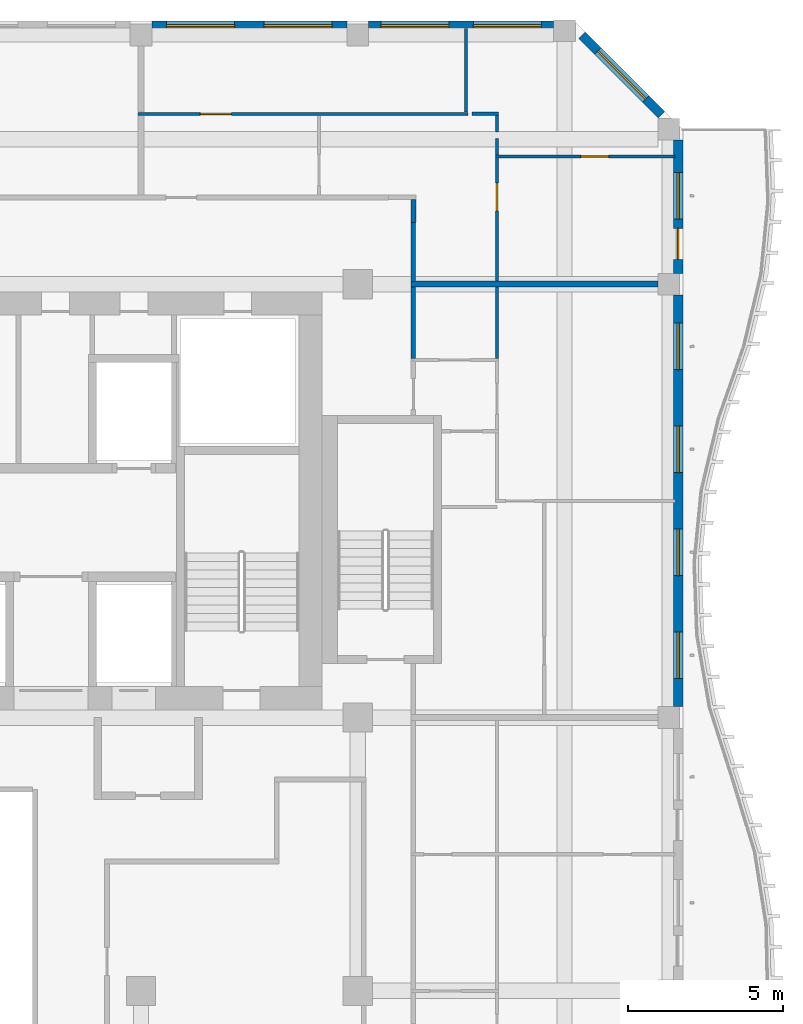
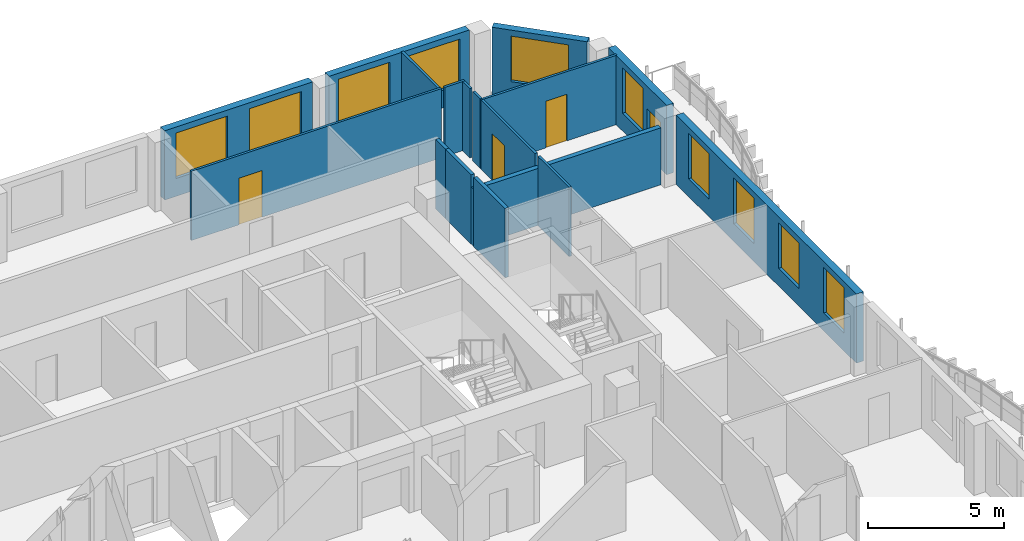
# One storey, part 9 of 19: 17 walls, 10 windows, 4 doors, 14 openings.
"""IFC4 building model written with IfcOpenShell, lengths in metres."""

from ifc_helpers import new_model, si_unit, direction, frame, frame_2d, origin, place, context, subcontext, project, spatial, rectangle, extrude, source, transform, mapped, material, layer, layer_set, type_object, element, fill, save


model = new_model("IFC4")

# Units and contexts
model_context = context("Model", 3, precision=1e-05, world=origin(), true_north=direction((0.0, 1.0)))
body_context = subcontext(model_context, "Body", "Model", "MODEL_VIEW")
ifc_project = project(units=[si_unit("LENGTHUNIT", "METRE"), si_unit("AREAUNIT", "SQUARE_METRE"), si_unit("VOLUMEUNIT", "CUBIC_METRE"), si_unit("PLANEANGLEUNIT", "RADIAN"), si_unit("MASSUNIT", "GRAM", prefix="KILO")], contexts=[model_context])

# Site, building, storey
site_placement = place(None, origin())
site = spatial("IfcSite", under=ifc_project, at=site_placement, CompositionType="ELEMENT")
building_placement = place(site_placement, origin())
building = spatial("IfcBuilding", under=site, at=building_placement, Name="Kilnfold Tower and Market Hall", CompositionType="ELEMENT")
storey_placement = place(building_placement, frame((0.0, 0.0, 242.39990234375)))
storey = spatial("IfcBuildingStorey", under=building, at=storey_placement, Name="L58", CompositionType="ELEMENT", Elevation=242.39990234375)

# Walls
ifc_material_1 = material(Name="Gypsum board on steel studs", Category="steel")
ifc_layer_1 = layer(ifc_material_1, 0.14990234375)
ifc_layer_set_1 = layer_set([ifc_layer_1], Name="Gypsum board on steel studs")
wall_type_1 = type_object("IfcWallType", Name="WALL CORRIDOR 150", PredefinedType="PARTITIONING", material=ifc_layer_set_1)
wall_1_placement = place(storey_placement, frame((20.800048828125, 19.592041015625, 0.0), z_axis=(0.0, 0.0, 1.0), x_axis=(0.0, 1.0, 0.0)))
element("IfcWall", 1, at=wall_1_placement, inside=storey, type_object=wall_type_1, Name="Partition LY35.18", PredefinedType="PARTITIONING", context=body_context, shape_type="SweptSolid", body=[
    extrude(rectangle(XDim=2.31787109375, YDim=0.14990234375, at=frame_2d((1.158935546875, 0.0))), origin(), (0.0, 0.0, 1.0), 3.1201171875),
])
wall_2_placement = place(storey_placement, frame((20.802001953125, 23.998046875, 0.0), z_axis=(0.0, 0.0, 1.0), x_axis=(0.0, 1.0, 0.0)))
element("IfcWall", 2, at=wall_2_placement, inside=storey, type_object=wall_type_1, Name="Partition LY35.20", PredefinedType="PARTITIONING", context=body_context, shape_type="SweptSolid", body=[
    extrude(rectangle(XDim=0.72900390625, YDim=0.14990234375, at=frame_2d((0.364501953125, 0.0))), origin(), (0.0, 0.0, 1.0), 3.1201171875),
])
wall_3_placement = place(storey_placement, frame((20.800048828125, 22.090087890625, 0.0), z_axis=(0.0, 0.0, 1.0), x_axis=(0.0, 1.0, 0.0)))
element("IfcWall", 3, at=wall_3_placement, inside=storey, type_object=wall_type_1, Name="Partition LY35.21", PredefinedType="PARTITIONING", context=body_context, shape_type="SweptSolid", body=[
    extrude(rectangle(XDim=1.907958984375, YDim=0.14990234375, at=frame_2d((0.9541015625, 0.0))), origin(), (0.0, 0.0, 1.0), 3.1201171875),
])
ifc_material_2 = material(Name="Gypsum board on steel studs", Category="steel")
ifc_layer_2 = layer(ifc_material_2, 0.10009765625)
ifc_layer_set_2 = layer_set([ifc_layer_2], Name="Gypsum board on steel studs")
wall_type_2 = type_object("IfcWallType", Name="WALL PARTITION 100", PredefinedType="PARTITIONING", material=ifc_layer_set_2)
wall_4_placement = place(storey_placement, frame((23.501953125, 19.592041015625, 0.0), z_axis=(0.0, 0.0, 1.0), x_axis=(0.0, 1.0, 0.0)))
element("IfcWall", 4, at=wall_4_placement, inside=storey, type_object=wall_type_2, Name="Partition LY35.85", PredefinedType="PARTITIONING", context=body_context, shape_type="SweptSolid", body=[
    extrude(rectangle(XDim=2.307861328125, YDim=0.10009765625, at=frame_2d((1.15380859375, 0.0))), origin(), (0.0, 0.0, 1.0), 3.1201171875),
])

# Wall, opening, door
wall_5_placement = place(storey_placement, frame((11.89990234375, 27.5, 0.0), z_axis=(0.0, 0.0, 1.0), x_axis=(1.0, 0.0, 0.0)))
wall_5 = element("IfcWall", 5, at=wall_5_placement, inside=storey, type_object=wall_type_2, Name="Partition LY35.90", PredefinedType="PARTITIONING", context=body_context, shape_type="SweptSolid", body=[
    extrude(rectangle(XDim=10.66015625, YDim=0.10009765625, at=frame_2d((5.330078125, 0.0))), origin(), (0.0, 0.0, 1.0), 3.1201171875),
])
opening_1_placement = place(wall_5_placement, frame((2.02001953125, 0.0, 0.0)))
opening_1 = element("IfcOpeningElement", 6, at=opening_1_placement, cuts=wall_5, Name="Opening D1", PredefinedType="OPENING", context=body_context, shape_type="SweptSolid", body=[
    extrude(rectangle(XDim=1.0, YDim=2.10009765625, at=frame_2d((0.5, 1.050048828125))), frame((0.0, 0.06005859375, 0.0), z_axis=(0.0, -1.0, 0.0), x_axis=(1.0, 0.0, 0.0)), (0.0, 0.0, 1.0), 0.1201171875),
])
ifc_material_3 = material(Name="Timber veneer door leaf in steel frame", Category="steel")
door_type_1 = type_object("IfcDoorType", Name="DOOR ENTRY 1000 X2100", OperationType="NOTDEFINED", PredefinedType="DOOR", material=ifc_material_3)
door_1_placement = place(opening_1_placement, origin())
door_1 = element("IfcDoor", 7, at=door_1_placement, inside=storey, type_object=door_type_1, Name="Door D1", OperationType="SINGLE_SWING_LEFT", OverallHeight=2.10009765625, OverallWidth=1.0, PredefinedType="DOOR", context=body_context, shape_type="SweptSolid", body=[
    extrude(rectangle(XDim=1.0, YDim=2.10009765625, at=frame_2d((0.5, 1.050048828125))), frame((0.0, 0.02490234375, 0.0), z_axis=(0.0, -1.0, 0.0), x_axis=(1.0, 0.0, 0.0)), (0.0, 0.0, 1.0), 0.050048828125),
])
fill(opening_1, door_1)

wall_6_placement = place(storey_placement, frame((23.5, 22.10009765625, 0.0), z_axis=(0.0, 0.0, 1.0), x_axis=(0.0, 1.0, 0.0)))
wall_6 = element("IfcWall", 8, at=wall_6_placement, inside=storey, type_object=wall_type_2, Name="Partition LY35.92", PredefinedType="PARTITIONING", context=body_context, shape_type="SweptSolid", body=[
    extrude(rectangle(XDim=3.98486328125, YDim=0.10009765625, at=frame_2d((1.992431640625, 0.0))), origin(), (0.0, 0.0, 1.0), 3.1201171875),
])
opening_2_placement = place(wall_6_placement, frame((2.264892578125, 0.0, 0.0)))
opening_2 = element("IfcOpeningElement", 9, at=opening_2_placement, cuts=wall_6, Name="Opening D2", PredefinedType="OPENING", context=body_context, shape_type="SweptSolid", body=[
    extrude(rectangle(XDim=0.89990234375, YDim=2.10009765625, at=frame_2d((0.449951171875, 1.050048828125))), frame((0.0, 0.06005859375, 0.0), z_axis=(0.0, -1.0, 0.0), x_axis=(1.0, 0.0, 0.0)), (0.0, 0.0, 1.0), 0.1201171875),
])
ifc_material_4 = material(Name="Timber veneer door leaf in steel frame", Category="steel")
door_type_2 = type_object("IfcDoorType", Name="DOOR ROOM 900 X2100", OperationType="NOTDEFINED", PredefinedType="DOOR", material=ifc_material_4)
door_2_placement = place(opening_2_placement, origin())
door_2 = element("IfcDoor", 10, at=door_2_placement, inside=storey, type_object=door_type_2, Name="Door D2", OperationType="SINGLE_SWING_LEFT", OverallHeight=2.10009765625, OverallWidth=0.89990234375, PredefinedType="DOOR", context=body_context, shape_type="SweptSolid", body=[
    extrude(rectangle(XDim=0.89990234375, YDim=2.10009765625, at=frame_2d((0.449951171875, 1.050048828125))), frame((0.0, 0.02490234375, 0.0), z_axis=(0.0, -1.0, 0.0), x_axis=(1.0, 0.0, 0.0)), (0.0, 0.0, 1.0), 0.050048828125),
])
fill(opening_2, door_2)

# Walls
wall_7_placement = place(storey_placement, frame((23.552001953125, 27.501953125, 0.0), z_axis=(0.0, 0.0, 1.0), x_axis=(-1.0, 0.0, 0.0)))
element("IfcWall", 11, at=wall_7_placement, inside=storey, type_object=wall_type_2, Name="Partition LY35.93", PredefinedType="PARTITIONING", context=body_context, shape_type="SweptSolid", body=[
    extrude(rectangle(XDim=0.85400390625, YDim=0.10009765625, at=frame_2d((0.427001953125, 0.0))), origin(), (0.0, 0.0, 1.0), 3.1201171875),
])
wall_8_placement = place(storey_placement, frame((23.501953125, 26.9169921875, 0.0), z_axis=(0.0, 0.0, 1.0), x_axis=(0.0, 1.0, 0.0)))
element("IfcWall", 12, at=wall_8_placement, inside=storey, type_object=wall_type_2, Name="Partition LY35.94", PredefinedType="PARTITIONING", context=body_context, shape_type="SweptSolid", body=[
    extrude(rectangle(XDim=0.534912109375, YDim=0.10009765625, at=frame_2d((0.267578125, 0.0))), origin(), (0.0, 0.0, 1.0), 3.1201171875),
])
wall_9_placement = place(storey_placement, frame((23.5, 26.1650390625, 0.0), z_axis=(0.0, 0.0, 1.0), x_axis=(0.0, 1.0, 0.0)))
element("IfcWall", 13, at=wall_9_placement, inside=storey, type_object=wall_type_2, Name="Partition LY35.95", PredefinedType="PARTITIONING", context=body_context, shape_type="SweptSolid", body=[
    extrude(rectangle(XDim=0.532958984375, YDim=0.10009765625, at=frame_2d((0.2666015625, 0.0))), origin(), (0.0, 0.0, 1.0), 3.1201171875),
])
wall_10_placement = place(storey_placement, frame((22.5, 27.552001953125, 0.0), z_axis=(0.0, 0.0, 1.0), x_axis=(0.0, 1.0, 0.0)))
element("IfcWall", 14, at=wall_10_placement, inside=storey, type_object=wall_type_2, Name="Partition LY35.96", PredefinedType="PARTITIONING", context=body_context, shape_type="SweptSolid", body=[
    extrude(rectangle(XDim=2.697998046875, YDim=0.10009765625, at=frame_2d((1.34912109375, 0.0))), origin(), (0.0, 0.0, 1.0), 3.1201171875),
])

# Wall, opening, door
wall_11_placement = place(storey_placement, frame((29.25, 26.125, 0.0), z_axis=(0.0, 0.0, 1.0), x_axis=(-1.0, 0.0, 0.0)))
wall_11 = element("IfcWall", 15, at=wall_11_placement, inside=storey, type_object=wall_type_2, Name="Partition LY35.98", PredefinedType="PARTITIONING", context=body_context, shape_type="SweptSolid", body=[
    extrude(rectangle(XDim=5.798095703125, YDim=0.10009765625, at=frame_2d((2.89892578125, 0.0))), origin(), (0.0, 0.0, 1.0), 3.1201171875),
])
opening_3_placement = place(wall_11_placement, frame((2.14208984375, 0.0, 0.0)))
opening_3 = element("IfcOpeningElement", 16, at=opening_3_placement, cuts=wall_11, Name="Opening D2", PredefinedType="OPENING", context=body_context, shape_type="SweptSolid", body=[
    extrude(rectangle(XDim=0.89990234375, YDim=2.10009765625, at=frame_2d((0.449951171875, 1.050048828125))), frame((0.0, 0.06005859375, 0.0), z_axis=(0.0, -1.0, 0.0), x_axis=(1.0, 0.0, 0.0)), (0.0, 0.0, 1.0), 0.1201171875),
])
door_3_placement = place(opening_3_placement, origin())
door_3 = element("IfcDoor", 17, at=door_3_placement, inside=storey, type_object=door_type_2, Name="Door D2", OperationType="SINGLE_SWING_RIGHT", OverallHeight=2.10009765625, OverallWidth=0.89990234375, PredefinedType="DOOR", context=body_context, shape_type="SweptSolid", body=[
    extrude(rectangle(XDim=0.89990234375, YDim=2.10009765625, at=frame_2d((0.449951171875, 1.050048828125))), frame((0.0, 0.02490234375, 0.0), z_axis=(0.0, -1.0, 0.0), x_axis=(1.0, 0.0, 0.0)), (0.0, 0.0, 1.0), 0.050048828125),
])
fill(opening_3, door_3)

# Wall
ifc_material_5 = material(Name="Gypsum board on steel studs", Category="steel")
ifc_layer_3 = layer(ifc_material_5, 0.199951171875)
ifc_layer_set_3 = layer_set([ifc_layer_3], Name="Gypsum board on steel studs")
wall_type_3 = type_object("IfcWallType", Name="WALL PARTY 200", PredefinedType="PARTITIONING", material=ifc_layer_set_3)
wall_12_placement = place(storey_placement, frame((20.72705078125, 22.0, 0.0), z_axis=(0.0, 0.0, 1.0), x_axis=(1.0, 0.0, 0.0)))
element("IfcWall", 18, at=wall_12_placement, inside=storey, type_object=wall_type_3, Name="Partition LY35.88", PredefinedType="PARTITIONING", context=body_context, shape_type="SweptSolid", body=[
    extrude(rectangle(XDim=7.972900390625, YDim=0.199951171875, at=frame_2d((3.986328125, 0.0))), origin(), (0.0, 0.0, 1.0), 2.570068359375),
])

# Wall, openings, windows
ifc_material_6 = material(Name="Precast concrete C50/60", Category="concrete")
ifc_layer_4 = layer(ifc_material_6, 0.300048828125)
ifc_layer_set_4 = layer_set([ifc_layer_4], Name="Precast concrete C50/60")
wall_type_4 = type_object("IfcWallType", Name="PRECAST WALL 300", PredefinedType="SOLIDWALL", material=ifc_layer_set_4)
shared_shape_1 = source(origin(), body_context, "Body", "SweptSolid", [
    extrude(rectangle(XDim=6.2998046875, YDim=0.300048828125, at=frame_2d((3.14990234375, 0.0))), origin(), (0.0, 0.0, 1.0), 3.1201171875),
])
wall_13_placement = place(storey_placement, frame((18.64990234375, 30.35009765625, 0.0), z_axis=(0.0, 0.0, 1.0), x_axis=(-1.0, 0.0, 0.0)))
wall_13 = element("IfcWall", 19, at=wall_13_placement, inside=storey, type_object=wall_type_4, Name="External wall L58 N", PredefinedType="SOLIDWALL", context=body_context, shape_type="MappedRepresentation", body=[
    mapped(shared_shape_1, transform((0.0, 0.0, 0.0))),
])
opening_4_placement = place(wall_13_placement, frame((0.47509765625, 0.0, 0.800048828125)))
opening_4 = element("IfcOpeningElement", 20, at=opening_4_placement, cuts=wall_13, Name="Opening W3", PredefinedType="OPENING", context=body_context, shape_type="SweptSolid", body=[
    extrude(rectangle(XDim=2.199951171875, YDim=2.050048828125, at=frame_2d((1.10009765625, 1.02490234375))), frame((0.0, 0.16015625, 0.0), z_axis=(0.0, -1.0, 0.0), x_axis=(1.0, 0.0, 0.0)), (0.0, 0.0, 1.0), 0.320068359375),
])
opening_5_placement = place(wall_13_placement, frame((3.625, 0.0, 0.800048828125)))
opening_5 = element("IfcOpeningElement", 21, at=opening_5_placement, cuts=wall_13, Name="Opening W3", PredefinedType="OPENING", context=body_context, shape_type="SweptSolid", body=[
    extrude(rectangle(XDim=2.199951171875, YDim=2.050048828125, at=frame_2d((1.10009765625, 1.02490234375))), frame((0.0, 0.16015625, 0.0), z_axis=(0.0, -1.0, 0.0), x_axis=(1.0, 0.0, 0.0)), (0.0, 0.0, 1.0), 0.320068359375),
])
ifc_material_7 = material(Name="Aluminium frame and double glazing", Category="aluminium")
window_type_1 = type_object("IfcWindowType", Name="WINDOW W3 2200X2050", PartitioningType="SINGLE_PANEL", PredefinedType="WINDOW", material=ifc_material_7)
window_1_placement = place(opening_4_placement, origin())
window_1 = element("IfcWindow", 22, at=window_1_placement, inside=storey, type_object=window_type_1, Name="Window W3 L58 N-1", OverallHeight=2.050048828125, OverallWidth=2.199951171875, PartitioningType="SINGLE_PANEL", PredefinedType="WINDOW", context=body_context, shape_type="SweptSolid", body=[
    extrude(rectangle(XDim=2.199951171875, YDim=2.050048828125, at=frame_2d((1.10009765625, 1.02490234375))), frame((0.0, 0.030029296875, 0.0), z_axis=(0.0, -1.0, 0.0), x_axis=(1.0, 0.0, 0.0)), (0.0, 0.0, 1.0), 0.06005859375),
])
fill(opening_4, window_1)
window_2_placement = place(opening_5_placement, origin())
window_2 = element("IfcWindow", 23, at=window_2_placement, inside=storey, type_object=window_type_1, Name="Window W3 L58 N-2", OverallHeight=2.050048828125, OverallWidth=2.199951171875, PartitioningType="SINGLE_PANEL", PredefinedType="WINDOW", context=body_context, shape_type="SweptSolid", body=[
    extrude(rectangle(XDim=2.199951171875, YDim=2.050048828125, at=frame_2d((1.10009765625, 1.02490234375))), frame((0.0, 0.030029296875, 0.0), z_axis=(0.0, -1.0, 0.0), x_axis=(1.0, 0.0, 0.0)), (0.0, 0.0, 1.0), 0.06005859375),
])
fill(opening_5, window_2)

# Wall, opening, window
shared_shape_2 = source(origin(), body_context, "Body", "SweptSolid", [
    extrude(rectangle(XDim=3.6416015625, YDim=0.300048828125, at=frame_2d((1.82080078125, 0.0))), origin(), (0.0, 0.0, 1.0), 3.1201171875),
])
wall_14_placement = place(storey_placement, frame((28.81884765625, 27.468994140625, 0.0), z_axis=(0.0, 0.0, 1.0), x_axis=(-0.707106781187, 0.707106781187, 0.0)))
wall_14 = element("IfcWall", 24, at=wall_14_placement, inside=storey, type_object=wall_type_4, Name="External wall L58 NE", PredefinedType="SOLIDWALL", context=body_context, shape_type="MappedRepresentation", body=[
    mapped(shared_shape_2, transform((0.0, 0.0, 0.0))),
])
opening_6_placement = place(wall_14_placement, frame((0.720703125, 0.0, 0.800048828125)))
opening_6 = element("IfcOpeningElement", 25, at=opening_6_placement, cuts=wall_14, Name="Opening W3", PredefinedType="OPENING", context=body_context, shape_type="SweptSolid", body=[
    extrude(rectangle(XDim=2.199951171875, YDim=2.050048828125, at=frame_2d((1.10009765625, 1.02490234375))), frame((0.0, 0.16015625, 0.0), z_axis=(0.0, -1.0, 0.0), x_axis=(1.0, 0.0, 0.0)), (0.0, 0.0, 1.0), 0.320068359375),
])
window_3_placement = place(opening_6_placement, origin())
window_3 = element("IfcWindow", 26, at=window_3_placement, inside=storey, type_object=window_type_1, Name="Window W3 L58 NE-1", OverallHeight=2.050048828125, OverallWidth=2.199951171875, PartitioningType="SINGLE_PANEL", PredefinedType="WINDOW", context=body_context, shape_type="SweptSolid", body=[
    extrude(rectangle(XDim=2.199951171875, YDim=2.050048828125, at=frame_2d((1.10009765625, 1.02490234375))), frame((0.0, 0.030029296875, 0.0), z_axis=(0.0, -1.0, 0.0), x_axis=(1.0, 0.0, 0.0)), (0.0, 0.0, 1.0), 0.06005859375),
])
fill(opening_6, window_3)

# Wall, openings, windows
shared_shape_3 = source(origin(), body_context, "Body", "SweptSolid", [
    extrude(rectangle(XDim=13.2998046875, YDim=0.300048828125, at=frame_2d((6.64990234375, 0.0))), origin(), (0.0, 0.0, 1.0), 3.1201171875),
])
wall_15_placement = place(storey_placement, frame((29.35009765625, 8.35009765625, 0.0), z_axis=(0.0, 0.0, 1.0), x_axis=(0.0, 1.0, 0.0)))
wall_15 = element("IfcWall", 27, at=wall_15_placement, inside=storey, type_object=wall_type_4, Name="External wall L58 E", PredefinedType="SOLIDWALL", context=body_context, shape_type="MappedRepresentation", body=[
    mapped(shared_shape_3, transform((0.0, 0.0, 0.0))),
])
opening_7_placement = place(wall_15_placement, frame((0.91259765625, 0.0, 0.800048828125)))
opening_7 = element("IfcOpeningElement", 28, at=opening_7_placement, cuts=wall_15, Name="Opening W5", PredefinedType="OPENING", context=body_context, shape_type="SweptSolid", body=[
    extrude(rectangle(XDim=1.5, YDim=2.050048828125, at=frame_2d((0.75, 1.02490234375))), frame((0.0, 0.16015625, 0.0), z_axis=(0.0, -1.0, 0.0), x_axis=(1.0, 0.0, 0.0)), (0.0, 0.0, 1.0), 0.320068359375),
])
opening_8_placement = place(wall_15_placement, frame((4.237548828125, 0.0, 0.800048828125)))
opening_8 = element("IfcOpeningElement", 29, at=opening_8_placement, cuts=wall_15, Name="Opening W5", PredefinedType="OPENING", context=body_context, shape_type="SweptSolid", body=[
    extrude(rectangle(XDim=1.5, YDim=2.050048828125, at=frame_2d((0.75, 1.02490234375))), frame((0.0, 0.16015625, 0.0), z_axis=(0.0, -1.0, 0.0), x_axis=(1.0, 0.0, 0.0)), (0.0, 0.0, 1.0), 0.320068359375),
])
opening_9_placement = place(wall_15_placement, frame((7.5625, 0.0, 0.800048828125)))
opening_9 = element("IfcOpeningElement", 30, at=opening_9_placement, cuts=wall_15, Name="Opening W5", PredefinedType="OPENING", context=body_context, shape_type="SweptSolid", body=[
    extrude(rectangle(XDim=1.5, YDim=2.050048828125, at=frame_2d((0.75, 1.02490234375))), frame((0.0, 0.16015625, 0.0), z_axis=(0.0, -1.0, 0.0), x_axis=(1.0, 0.0, 0.0)), (0.0, 0.0, 1.0), 0.320068359375),
])
opening_10_placement = place(wall_15_placement, frame((10.887451171875, 0.0, 0.800048828125)))
opening_10 = element("IfcOpeningElement", 31, at=opening_10_placement, cuts=wall_15, Name="Opening W5", PredefinedType="OPENING", context=body_context, shape_type="SweptSolid", body=[
    extrude(rectangle(XDim=1.5, YDim=2.050048828125, at=frame_2d((0.75, 1.02490234375))), frame((0.0, 0.16015625, 0.0), z_axis=(0.0, -1.0, 0.0), x_axis=(1.0, 0.0, 0.0)), (0.0, 0.0, 1.0), 0.320068359375),
])
ifc_material_8 = material(Name="Aluminium frame and double glazing", Category="aluminium")
window_type_2 = type_object("IfcWindowType", Name="WINDOW W5 1500X2050", PartitioningType="SINGLE_PANEL", PredefinedType="WINDOW", material=ifc_material_8)
window_4_placement = place(opening_7_placement, origin())
window_4 = element("IfcWindow", 32, at=window_4_placement, inside=storey, type_object=window_type_2, Name="Window W5 L58 E-1", OverallHeight=2.050048828125, OverallWidth=1.5, PartitioningType="SINGLE_PANEL", PredefinedType="WINDOW", context=body_context, shape_type="SweptSolid", body=[
    extrude(rectangle(XDim=1.5, YDim=2.050048828125, at=frame_2d((0.75, 1.02490234375))), frame((0.0, 0.030029296875, 0.0), z_axis=(0.0, -1.0, 0.0), x_axis=(1.0, 0.0, 0.0)), (0.0, 0.0, 1.0), 0.06005859375),
])
fill(opening_7, window_4)
window_5_placement = place(opening_8_placement, origin())
window_5 = element("IfcWindow", 33, at=window_5_placement, inside=storey, type_object=window_type_2, Name="Window W5 L58 E-2", OverallHeight=2.050048828125, OverallWidth=1.5, PartitioningType="SINGLE_PANEL", PredefinedType="WINDOW", context=body_context, shape_type="SweptSolid", body=[
    extrude(rectangle(XDim=1.5, YDim=2.050048828125, at=frame_2d((0.75, 1.02490234375))), frame((0.0, 0.030029296875, 0.0), z_axis=(0.0, -1.0, 0.0), x_axis=(1.0, 0.0, 0.0)), (0.0, 0.0, 1.0), 0.06005859375),
])
fill(opening_8, window_5)
window_6_placement = place(opening_9_placement, origin())
window_6 = element("IfcWindow", 34, at=window_6_placement, inside=storey, type_object=window_type_2, Name="Window W5 L58 E-3", OverallHeight=2.050048828125, OverallWidth=1.5, PartitioningType="SINGLE_PANEL", PredefinedType="WINDOW", context=body_context, shape_type="SweptSolid", body=[
    extrude(rectangle(XDim=1.5, YDim=2.050048828125, at=frame_2d((0.75, 1.02490234375))), frame((0.0, 0.030029296875, 0.0), z_axis=(0.0, -1.0, 0.0), x_axis=(1.0, 0.0, 0.0)), (0.0, 0.0, 1.0), 0.06005859375),
])
fill(opening_9, window_6)
window_7_placement = place(opening_10_placement, origin())
window_7 = element("IfcWindow", 35, at=window_7_placement, inside=storey, type_object=window_type_2, Name="Window W5 L58 E-4", OverallHeight=2.050048828125, OverallWidth=1.5, PartitioningType="SINGLE_PANEL", PredefinedType="WINDOW", context=body_context, shape_type="SweptSolid", body=[
    extrude(rectangle(XDim=1.5, YDim=2.050048828125, at=frame_2d((0.75, 1.02490234375))), frame((0.0, 0.030029296875, 0.0), z_axis=(0.0, -1.0, 0.0), x_axis=(1.0, 0.0, 0.0)), (0.0, 0.0, 1.0), 0.06005859375),
])
fill(opening_10, window_7)

# Wall, openings, door, window
shared_shape_4 = source(origin(), body_context, "Body", "SweptSolid", [
    extrude(rectangle(XDim=4.2998046875, YDim=0.300048828125, at=frame_2d((2.14990234375, 0.0))), origin(), (0.0, 0.0, 1.0), 3.1201171875),
])
wall_16_placement = place(storey_placement, frame((29.35009765625, 22.35009765625, 0.0), z_axis=(0.0, 0.0, 1.0), x_axis=(0.0, 1.0, 0.0)))
wall_16 = element("IfcWall", 36, at=wall_16_placement, inside=storey, type_object=wall_type_4, Name="External wall L58 E", PredefinedType="SOLIDWALL", context=body_context, shape_type="MappedRepresentation", body=[
    mapped(shared_shape_4, transform((0.0, 0.0, 0.0))),
])
opening_11_placement = place(wall_16_placement, frame((1.75, 0.0, 0.800048828125)))
opening_11 = element("IfcOpeningElement", 37, at=opening_11_placement, cuts=wall_16, Name="Opening W5", PredefinedType="OPENING", context=body_context, shape_type="SweptSolid", body=[
    extrude(rectangle(XDim=1.5, YDim=2.050048828125, at=frame_2d((0.75, 1.02490234375))), frame((0.0, 0.16015625, 0.0), z_axis=(0.0, -1.0, 0.0), x_axis=(1.0, 0.0, 0.0)), (0.0, 0.0, 1.0), 0.320068359375),
])
opening_12_placement = place(wall_16_placement, frame((0.449951171875, 0.0, 0.0)))
opening_12 = element("IfcOpeningElement", 38, at=opening_12_placement, cuts=wall_16, Name="Opening BD1", PredefinedType="OPENING", context=body_context, shape_type="SweptSolid", body=[
    extrude(rectangle(XDim=1.0, YDim=2.10009765625, at=frame_2d((0.5, 1.050048828125))), frame((0.0, 0.16015625, 0.0), z_axis=(0.0, -1.0, 0.0), x_axis=(1.0, 0.0, 0.0)), (0.0, 0.0, 1.0), 0.320068359375),
])
ifc_material_9 = material(Name="Aluminium frame and double glazing", Category="aluminium")
door_type_3 = type_object("IfcDoorType", Name="BALCONY DOOR 1000X2100", OperationType="NOTDEFINED", PredefinedType="DOOR", material=ifc_material_9)
door_4_placement = place(opening_12_placement, origin())
door_4 = element("IfcDoor", 39, at=door_4_placement, inside=storey, type_object=door_type_3, Name="Balcony door BD1 L58 E-1", OperationType="SINGLE_SWING_LEFT", OverallHeight=2.10009765625, OverallWidth=1.0, PredefinedType="DOOR", context=body_context, shape_type="SweptSolid", body=[
    extrude(rectangle(XDim=1.0, YDim=2.10009765625, at=frame_2d((0.5, 1.050048828125))), frame((0.0, 0.02490234375, 0.0), z_axis=(0.0, -1.0, 0.0), x_axis=(1.0, 0.0, 0.0)), (0.0, 0.0, 1.0), 0.050048828125),
])
fill(opening_12, door_4)
window_8_placement = place(opening_11_placement, origin())
window_8 = element("IfcWindow", 40, at=window_8_placement, inside=storey, type_object=window_type_2, Name="Window W5 L58 E-1", OverallHeight=2.050048828125, OverallWidth=1.5, PartitioningType="SINGLE_PANEL", PredefinedType="WINDOW", context=body_context, shape_type="SweptSolid", body=[
    extrude(rectangle(XDim=1.5, YDim=2.050048828125, at=frame_2d((0.75, 1.02490234375))), frame((0.0, 0.030029296875, 0.0), z_axis=(0.0, -1.0, 0.0), x_axis=(1.0, 0.0, 0.0)), (0.0, 0.0, 1.0), 0.06005859375),
])
fill(opening_11, window_8)

# Wall, openings, windows
shared_shape_5 = source(origin(), body_context, "Body", "SweptSolid", [
    extrude(rectangle(XDim=5.981689453125, YDim=0.300048828125, at=frame_2d((2.99072265625, 0.0))), origin(), (0.0, 0.0, 1.0), 3.1201171875),
])
wall_17_placement = place(storey_placement, frame((25.331787109375, 30.35009765625, 0.0), z_axis=(0.0, 0.0, 1.0), x_axis=(-1.0, 0.0, 0.0)))
wall_17 = element("IfcWall", 41, at=wall_17_placement, inside=storey, type_object=wall_type_4, Name="External wall L58 N", PredefinedType="SOLIDWALL", context=body_context, shape_type="MappedRepresentation", body=[
    mapped(shared_shape_5, transform((0.0, 0.0, 0.0))),
])
opening_13_placement = place(wall_17_placement, frame((0.3955078125, 0.0, 0.800048828125)))
opening_13 = element("IfcOpeningElement", 42, at=opening_13_placement, cuts=wall_17, Name="Opening W3", PredefinedType="OPENING", context=body_context, shape_type="SweptSolid", body=[
    extrude(rectangle(XDim=2.199951171875, YDim=2.050048828125, at=frame_2d((1.10009765625, 1.02490234375))), frame((0.0, 0.16015625, 0.0), z_axis=(0.0, -1.0, 0.0), x_axis=(1.0, 0.0, 0.0)), (0.0, 0.0, 1.0), 0.320068359375),
])
opening_14_placement = place(wall_17_placement, frame((3.386474609375, 0.0, 0.800048828125)))
opening_14 = element("IfcOpeningElement", 43, at=opening_14_placement, cuts=wall_17, Name="Opening W3", PredefinedType="OPENING", context=body_context, shape_type="SweptSolid", body=[
    extrude(rectangle(XDim=2.199951171875, YDim=2.050048828125, at=frame_2d((1.10009765625, 1.02490234375))), frame((0.0, 0.16015625, 0.0), z_axis=(0.0, -1.0, 0.0), x_axis=(1.0, 0.0, 0.0)), (0.0, 0.0, 1.0), 0.320068359375),
])
window_9_placement = place(opening_13_placement, origin())
window_9 = element("IfcWindow", 44, at=window_9_placement, inside=storey, type_object=window_type_1, Name="Window W3 L58 N-1", OverallHeight=2.050048828125, OverallWidth=2.199951171875, PartitioningType="SINGLE_PANEL", PredefinedType="WINDOW", context=body_context, shape_type="SweptSolid", body=[
    extrude(rectangle(XDim=2.199951171875, YDim=2.050048828125, at=frame_2d((1.10009765625, 1.02490234375))), frame((0.0, 0.030029296875, 0.0), z_axis=(0.0, -1.0, 0.0), x_axis=(1.0, 0.0, 0.0)), (0.0, 0.0, 1.0), 0.06005859375),
])
fill(opening_13, window_9)
window_10_placement = place(opening_14_placement, origin())
window_10 = element("IfcWindow", 45, at=window_10_placement, inside=storey, type_object=window_type_1, Name="Window W3 L58 N-2", OverallHeight=2.050048828125, OverallWidth=2.199951171875, PartitioningType="SINGLE_PANEL", PredefinedType="WINDOW", context=body_context, shape_type="SweptSolid", body=[
    extrude(rectangle(XDim=2.199951171875, YDim=2.050048828125, at=frame_2d((1.10009765625, 1.02490234375))), frame((0.0, 0.030029296875, 0.0), z_axis=(0.0, -1.0, 0.0), x_axis=(1.0, 0.0, 0.0)), (0.0, 0.0, 1.0), 0.06005859375),
])
fill(opening_14, window_10)

save(model, "model.ifc")
